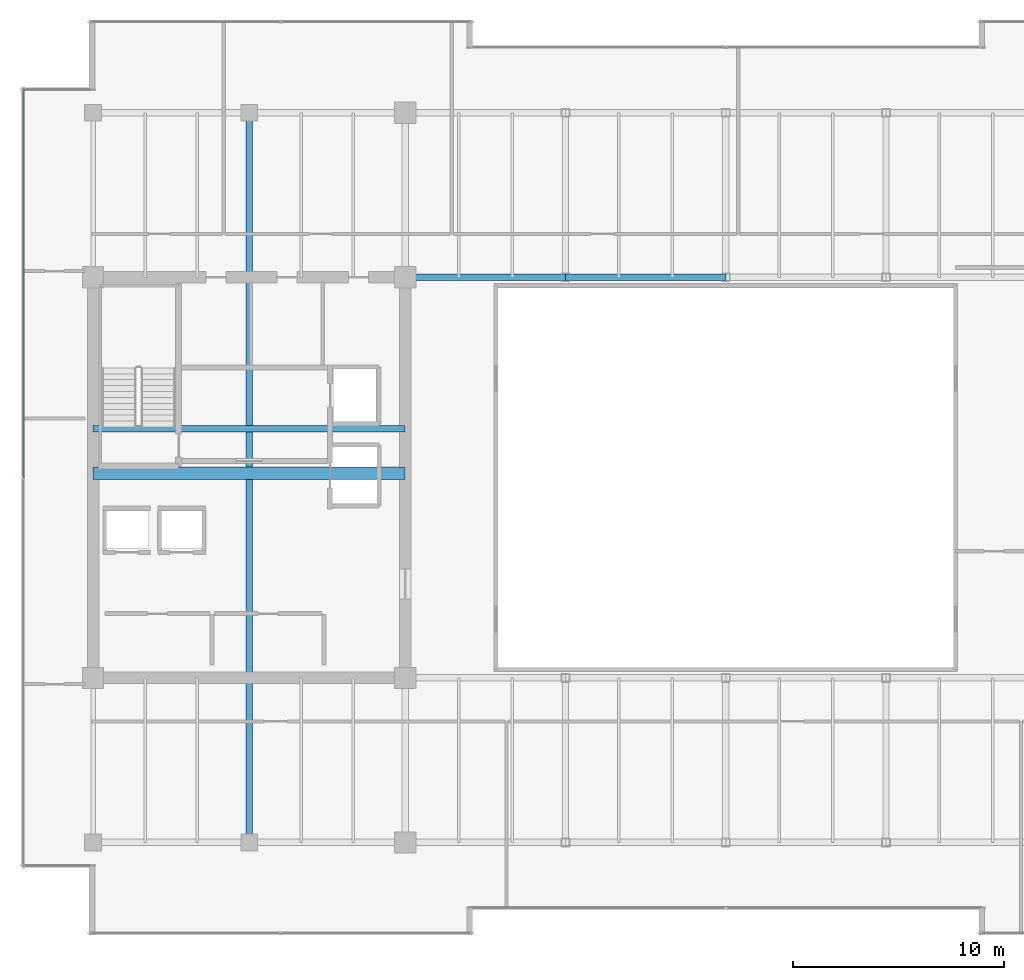
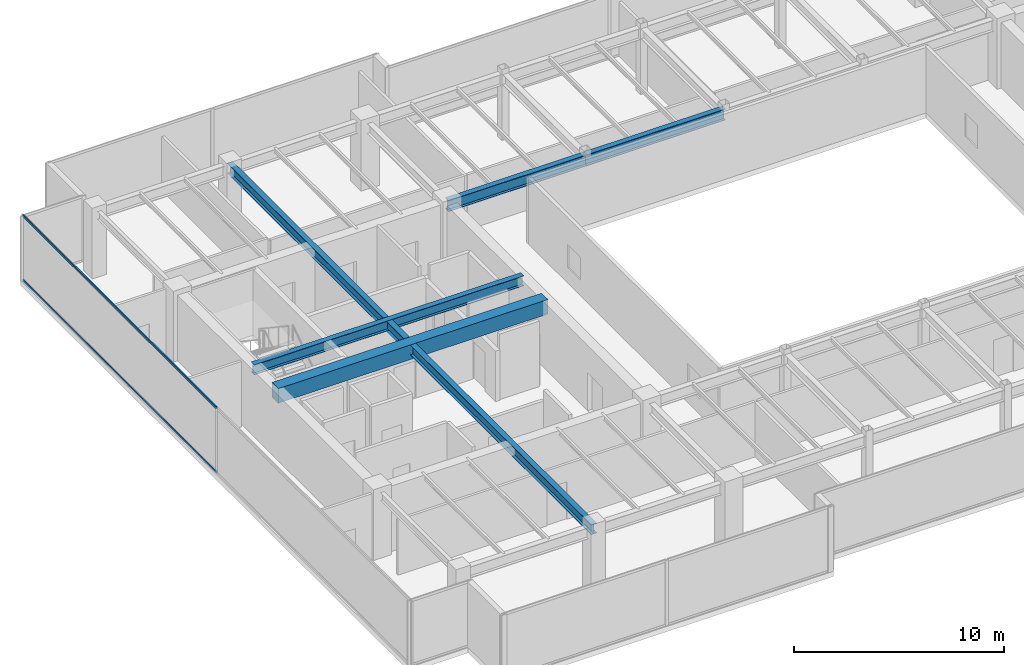
# One storey, part 10 of 33: 5 beams, 2 members, 1 element without a shape of its own.
"""IFC4 building model written with IfcOpenShell, lengths in metres."""

from ifc_helpers import new_model, si_unit, direction, frame, origin, origin_2d, place, context, subcontext, project, spatial, rectangle, hollow_rectangle, i_section, extrude, source, transform, mapped, material, layer, layer_set, material_profile, profile_set, type_object, type_shapes, element, aggregate, save


model = new_model("IFC4")

# Units and contexts
model_context = context("Model", 3, precision=1e-05, world=origin(), true_north=direction((0.0, 1.0)))
body_context = subcontext(model_context, "Body", "Model", "MODEL_VIEW")
ifc_project = project(units=[si_unit("LENGTHUNIT", "METRE"), si_unit("AREAUNIT", "SQUARE_METRE"), si_unit("VOLUMEUNIT", "CUBIC_METRE"), si_unit("PLANEANGLEUNIT", "RADIAN"), si_unit("MASSUNIT", "GRAM", prefix="KILO")], contexts=[model_context])

# Site, building, storey
site_placement = place(None, origin())
site = spatial("IfcSite", under=ifc_project, at=site_placement, CompositionType="ELEMENT")
building_placement = place(site_placement, origin())
building = spatial("IfcBuilding", under=site, at=building_placement, Name="Haelvirn Gate Laboratories", CompositionType="ELEMENT")
storey_placement = place(building_placement, frame((0.0, 0.0, 271.10009765625)))
storey = spatial("IfcBuildingStorey", under=building, at=storey_placement, Name="L65", CompositionType="ELEMENT", Elevation=271.10009765625)

# Beams
ifc_material_1 = material(Name="Steel SM355", Category="steel")
ifc_material_profile_1 = material_profile(ifc_material_1, i_section(OverallWidth=0.300048828125, OverallDepth=0.587890625, WebThickness=0.011962890625, FlangeThickness=0.02001953125, at=origin_2d()), Name="H-588x300x12x20")
ifc_profile_set_1 = profile_set([ifc_material_profile_1], Name="Steel SM355")
beam_type_1 = type_object("IfcBeamType", Name="BM-G-588", PredefinedType="BEAM", material=ifc_profile_set_1)
shared_shape_1 = source(origin(), body_context, "Body", "SweptSolid", [
    extrude(i_section(OverallWidth=0.300048828125, OverallDepth=0.587890625, WebThickness=0.011962890625, FlangeThickness=0.02001953125, at=origin_2d()), origin(), (0.0, 0.0, 1.0), 14.800048828125),
])
beam_1_placement = place(storey_placement, frame((7.39990234375, 26.6201171875, 3.505859375), z_axis=(1.0, 0.0, 0.0), x_axis=(0.0, 1.0, 0.0)))
element("IfcBeam", 1, at=beam_1_placement, inside=storey, type_object=beam_type_1, Name="L65 Stair ST1 Landing Header", PredefinedType="BEAM", context=body_context, shape_type="MappedRepresentation", body=[
    mapped(shared_shape_1, transform((0.0, 0.0, 0.0), scale=1.0)),
])
shared_shape_2 = source(origin(), body_context, "Body", "SweptSolid", [
    extrude(i_section(OverallWidth=0.300048828125, OverallDepth=0.587890625, WebThickness=0.011962890625, FlangeThickness=0.02001953125, at=origin_2d()), origin(), (0.0, 0.0, 1.0), 34.60009765625),
])
type_shapes(beam_type_1, [shared_shape_1, shared_shape_2])
beam_2_placement = place(storey_placement, frame((14.800048828125, 7.0, 3.505859375), z_axis=(0.0, 1.0, 0.0), x_axis=(-1.0, 0.0, 0.0)))
element("IfcBeam", 2, at=beam_2_placement, inside=storey, type_object=beam_type_1, Name="L65 Frame Girder X14.8 (7.0-41.6)", PredefinedType="BEAM", context=body_context, shape_type="MappedRepresentation", body=[
    mapped(shared_shape_2, transform((0.0, 0.0, 0.0), scale=1.0)),
])
ifc_material_2 = material(Name="Concrete C50/60", Category="concrete")
ifc_material_profile_2 = material_profile(ifc_material_2, rectangle(XDim=0.60009765625, YDim=0.85009765625, at=origin_2d()), Name="RCB-600x850")
ifc_profile_set_2 = profile_set([ifc_material_profile_2], Name="Concrete C50/60")
beam_type_2 = type_object("IfcBeamType", Name="BM-RCB-850", PredefinedType="LINTEL", material=ifc_profile_set_2)
shared_shape_3 = source(origin(), body_context, "Body", "SweptSolid", [
    extrude(rectangle(XDim=0.60009765625, YDim=0.85009765625, at=origin_2d()), origin(), (0.0, 0.0, 1.0), 14.800048828125),
])
type_shapes(beam_type_2, [shared_shape_3])
beam_3_placement = place(storey_placement, frame((7.39990234375, 24.5, 3.375), z_axis=(1.0, 0.0, 0.0), x_axis=(0.0, 1.0, 0.0)))
element("IfcBeam", 3, at=beam_3_placement, inside=storey, type_object=beam_type_2, Name="L65 West Core Coupling Beam", PredefinedType="LINTEL", context=body_context, shape_type="MappedRepresentation", body=[
    mapped(shared_shape_3, transform((0.0, 0.0, 0.0), scale=1.0)),
])
ifc_material_profile_3 = material_profile(ifc_material_1, i_section(OverallWidth=0.300048828125, OverallDepth=0.64990234375, WebThickness=0.012939453125, FlangeThickness=0.02197265625, at=origin_2d()), Name="H-650x300x13x22")
ifc_profile_set_3 = profile_set([ifc_material_profile_3], Name="Steel SM355")
beam_type_3 = type_object("IfcBeamType", Name="BM-G-650", PredefinedType="BEAM", material=ifc_profile_set_3)
shared_shape_4 = source(origin(), body_context, "Body", "SweptSolid", [
    extrude(i_section(OverallWidth=0.300048828125, OverallDepth=0.64990234375, WebThickness=0.012939453125, FlangeThickness=0.02197265625, at=origin_2d()), origin(), (0.0, 0.0, 1.0), 7.60009765625),
])
beam_4_placement = place(storey_placement, frame((22.199951171875, 33.800048828125, 3.474853515625), z_axis=(1.0, 0.0, 0.0), x_axis=(0.0, 1.0, 0.0)))
element("IfcBeam", 4, at=beam_4_placement, inside=storey, type_object=beam_type_3, Name="L65 Primary Girder Y33.8 (22.2-29.8)", PredefinedType="BEAM", context=body_context, shape_type="MappedRepresentation", body=[
    mapped(shared_shape_4, transform((0.0, 0.0, 0.0), scale=1.0)),
])
shared_shape_5 = source(origin(), body_context, "Body", "SweptSolid", [
    extrude(i_section(OverallWidth=0.300048828125, OverallDepth=0.64990234375, WebThickness=0.012939453125, FlangeThickness=0.02197265625, at=origin_2d()), origin(), (0.0, 0.0, 1.0), 7.599853515625),
])
type_shapes(beam_type_3, [shared_shape_4, shared_shape_5])
beam_5_placement = place(storey_placement, frame((29.800048828125, 33.800048828125, 3.474853515625), z_axis=(1.0, 0.0, 0.0), x_axis=(0.0, 1.0, 0.0)))
element("IfcBeam", 5, at=beam_5_placement, inside=storey, type_object=beam_type_3, Name="L65 Primary Girder Y33.8 (29.8-37.4)", PredefinedType="BEAM", context=body_context, shape_type="MappedRepresentation", body=[
    mapped(shared_shape_5, transform((0.0, 0.0, 0.0), scale=1.0)),
])

# Curtain wall, members
ifc_material_3 = material(Name="Anodised bronze unitised aluminium & triple low-E glass", Category="aluminium")
ifc_layer = layer(ifc_material_3, 0.176025390625, Name="CW-SYS-4")
ifc_layer_set = layer_set([ifc_layer], Name="Anodised bronze unitised aluminium & triple low-E glass")
curtain_wall_type = type_object("IfcCurtainWallType", Name="CW-SYS-4", PredefinedType="NOTDEFINED", material=ifc_layer_set)
curtain_wall_placement = place(storey_placement, origin())
curtain_wall = element("IfcCurtainWall", 6, at=curtain_wall_placement, inside=storey, type_object=curtain_wall_type, Name="L65 Unitised Curtain Wall CW-L65-P0-E17", PredefinedType="NOTDEFINED")
ifc_material_4 = material(Name="Extruded aluminium 6063-T6 (anodised bronze)", Category="aluminium")
ifc_material_profile_4 = material_profile(ifc_material_4, hollow_rectangle(XDim=0.06494140625, YDim=0.139892578125, WallThickness=0.00390625, at=origin_2d()), Name="CWT-140x65x4")
ifc_profile_set_4 = profile_set([ifc_material_profile_4], Name="Extruded aluminium 6063-T6 (anodised bronze)")
member_type = type_object("IfcMemberType", Name="CWT-T140", PredefinedType="USERDEFINED", material=ifc_profile_set_4)
shared_shape_6 = source(origin(), body_context, "Body", "SweptSolid", [
    extrude(hollow_rectangle(XDim=0.06494140625, YDim=0.139892578125, WallThickness=0.00390625, at=origin_2d()), origin(), (0.0, 0.0, 1.0), 18.39501953125),
])
type_shapes(member_type, [shared_shape_6])
member_1_placement = place(storey_placement, frame((4.10009765625, 42.72998046875, 0.032470703125), z_axis=(0.0, -1.0, 0.0), x_axis=(1.0, 0.0, 0.0)))
member_1 = element("IfcMember", 7, at=member_1_placement, type_object=member_type, Name="CW4 transom 1.1", ObjectType="TRANSOM", PredefinedType="USERDEFINED", context=body_context, shape_type="MappedRepresentation", body=[
    mapped(shared_shape_6, transform((0.0, 0.0, 0.0), scale=1.0)),
])
member_2_placement = place(storey_placement, frame((4.10009765625, 42.72998046875, 3.767333984375), z_axis=(0.0, -1.0, 0.0), x_axis=(1.0, 0.0, 0.0)))
member_2 = element("IfcMember", 8, at=member_2_placement, type_object=member_type, Name="CW4 transom 1.2", ObjectType="TRANSOM", PredefinedType="USERDEFINED", context=body_context, shape_type="MappedRepresentation", body=[
    mapped(shared_shape_6, transform((0.0, 0.0, 0.0), scale=1.0)),
])
aggregate(curtain_wall, [member_1, member_2])

save(model, "model.ifc")
